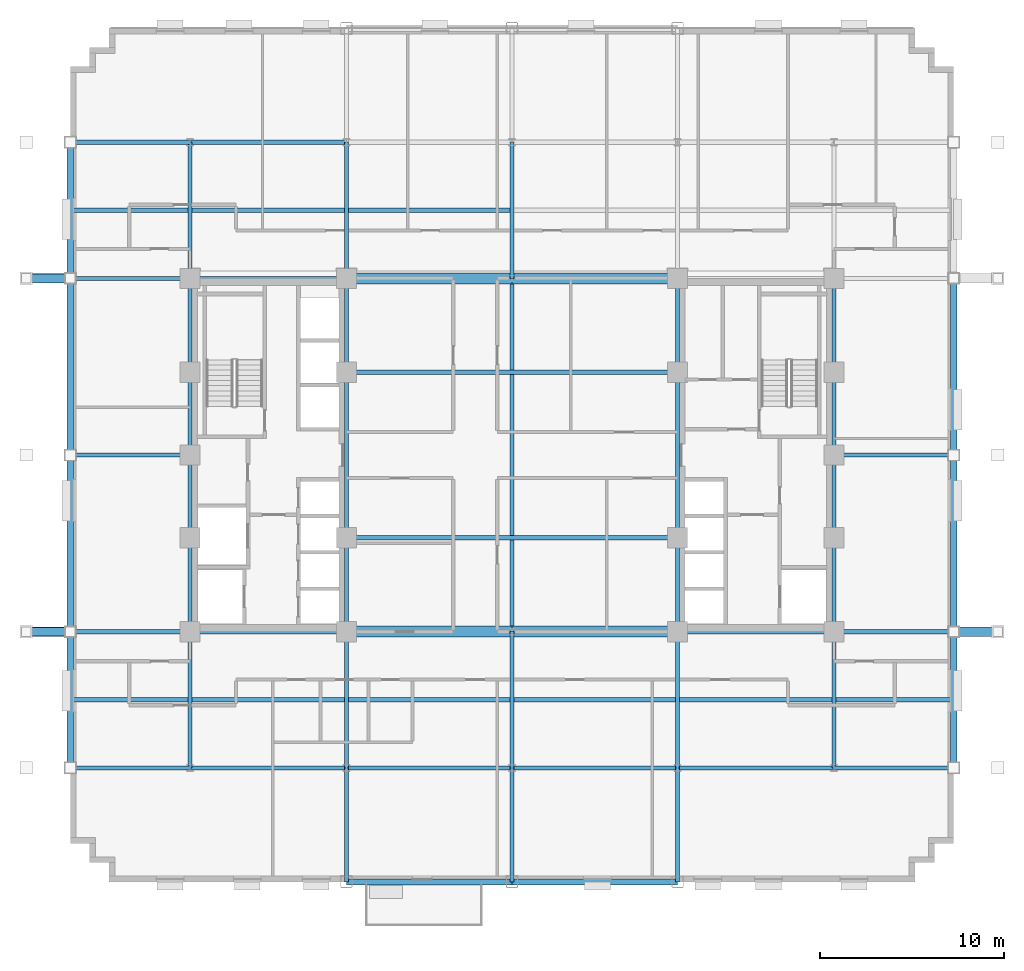
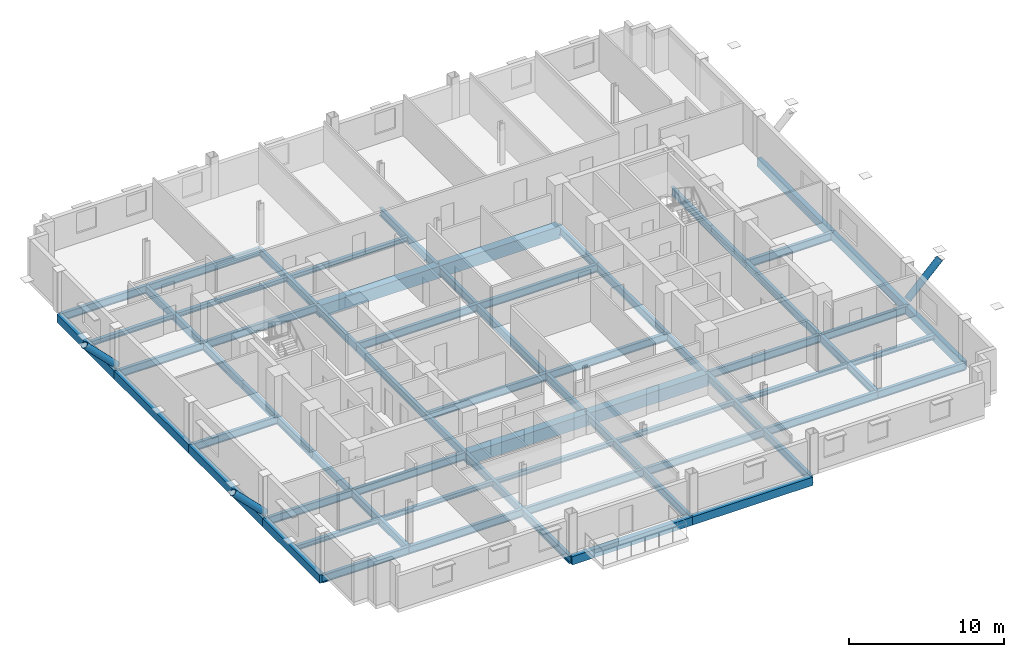
# One storey, part 4 of 14: 66 beams, 3 members.
"""IFC4 building model written with IfcOpenShell, lengths in metres."""

from ifc_helpers import new_model, si_unit, direction, frame, origin, origin_2d, place, context, subcontext, project, spatial, rectangle, hollow_circle, i_section, extrude, material, material_profile, profile_set, type_object, element, save


model = new_model("IFC4")

# Units and contexts
model_context = context("Model", 3, precision=1e-05, world=origin(), true_north=direction((0.0, 1.0)))
body_context = subcontext(model_context, "Body", "Model", "MODEL_VIEW")
ifc_project = project(units=[si_unit("LENGTHUNIT", "METRE"), si_unit("AREAUNIT", "SQUARE_METRE"), si_unit("VOLUMEUNIT", "CUBIC_METRE"), si_unit("PLANEANGLEUNIT", "RADIAN"), si_unit("MASSUNIT", "GRAM", prefix="KILO")], contexts=[model_context])

# Site, building, storey
site_placement = place(None, origin())
site = spatial("IfcSite", under=ifc_project, at=site_placement, CompositionType="ELEMENT")
building_placement = place(site_placement, origin())
building = spatial("IfcBuilding", under=site, at=building_placement, Name="Nuvemarco Arch Tower", CompositionType="ELEMENT")
storey_placement = place(building_placement, frame((0.0, 0.0, 112.89990234375)))
storey = spatial("IfcBuildingStorey", under=building, at=storey_placement, Name="L29", CompositionType="ELEMENT", Elevation=112.89990234375)

# Beams
ifc_material_1 = material(Name="Concrete C60/75", Category="concrete")
ifc_material_profile_1 = material_profile(ifc_material_1, rectangle(XDim=0.60009765625, YDim=0.949951171875, at=origin_2d()), Name="RC-BM-600x950")
ifc_profile_set_1 = profile_set([ifc_material_profile_1], Name="Concrete C60/75")
beam_type_1 = type_object("IfcBeamType", Name="BM-COUP-RC", PredefinedType="LINTEL", material=ifc_profile_set_1)
for number, where, z_axis, x_axis, name in (
    (1, (-9.0, -9.60009765625, -0.7548828125), (1.0, 0.0, 0.0), (0.0, 1.0, 0.0), "L29 structural beam BGEW_L29_0_-9.6_-9.0"),
    (2, (0.0, -9.60009765625, -0.7548828125), (1.0, 0.0, 0.0), (0.0, 1.0, 0.0), "L29 structural beam BGEW_L29_0_-9.6_+0.0"),
    (3, (-9.0, 9.60009765625, -0.7548828125), (1.0, 0.0, 0.0), (0.0, 1.0, 0.0), "L29 structural beam BGEW_L29_0_+9.6_-9.0"),
    (4, (0.0, 9.60009765625, -0.7548828125), (1.0, 0.0, 0.0), (0.0, 1.0, 0.0), "L29 structural beam BGEW_L29_0_+9.6_+0.0"),
):
    element("IfcBeam", number, at=place(storey_placement, frame(where, z_axis=z_axis, x_axis=x_axis)), inside=storey, type_object=beam_type_1, Name=name, PredefinedType="LINTEL", context=body_context, shape_type="SweptSolid", body=[
        extrude(rectangle(XDim=0.60009765625, YDim=0.949951171875, at=origin_2d()), origin(), (0.0, 0.0, 1.0), 9.0),
    ])
ifc_material_2 = material(Name="Steel S355", Category="steel")
ifc_material_profile_2 = material_profile(ifc_material_2, i_section(OverallWidth=0.22998046875, OverallDepth=0.616943359375, WebThickness=0.01318359375, FlangeThickness=0.022216796875, FilletRadius=0.01611328125, at=origin_2d()), Name="W610x140")
ifc_profile_set_2 = profile_set([ifc_material_profile_2], Name="Steel S355")
beam_type_2 = type_object("IfcBeamType", Name="BM-GIRD-610", PredefinedType="BEAM", material=ifc_profile_set_2)
beam_1_placement = place(storey_placement, frame((-17.5, -17.0, -0.58837890625), z_axis=(0.0, 1.0, 0.0), x_axis=(-1.0, 0.0, 0.0)))
element("IfcBeam", 5, at=beam_1_placement, inside=storey, type_object=beam_type_2, Name="L29 structural beam BGNS_L29_0_-17.5_-17.0", PredefinedType="BEAM", context=body_context, shape_type="SweptSolid", body=[
    extrude(i_section(OverallWidth=0.22998046875, OverallDepth=0.616943359375, WebThickness=0.01318359375, FlangeThickness=0.022216796875, FilletRadius=0.01611328125, at=origin_2d()), origin(), (0.0, 0.0, 1.0), 7.39990234375),
])
beam_2_placement = place(storey_placement, frame((-17.5, -9.60009765625, -0.58837890625), z_axis=(0.0, 1.0, 0.0), x_axis=(-1.0, 0.0, 0.0)))
element("IfcBeam", 6, at=beam_2_placement, inside=storey, type_object=beam_type_2, Name="L29 structural beam BGNS_L29_0_-17.5_-9.6", PredefinedType="BEAM", context=body_context, shape_type="SweptSolid", body=[
    extrude(i_section(OverallWidth=0.22998046875, OverallDepth=0.616943359375, WebThickness=0.01318359375, FlangeThickness=0.022216796875, FilletRadius=0.01611328125, at=origin_2d()), origin(), (0.0, 0.0, 1.0), 5.10009765625),
])
for number, where, z_axis, x_axis, name in (
    (7, (-17.5, -4.5, -0.58837890625), (0.0, 1.0, 0.0), (-1.0, 0.0, 0.0), "L29 structural beam BGNS_L29_0_-17.5_-4.5"),
    (8, (-17.5, 0.0, -0.58837890625), (0.0, 1.0, 0.0), (-1.0, 0.0, 0.0), "L29 structural beam BGNS_L29_0_-17.5_+0.0"),
):
    element("IfcBeam", number, at=place(storey_placement, frame(where, z_axis=z_axis, x_axis=x_axis)), inside=storey, type_object=beam_type_2, Name=name, PredefinedType="BEAM", context=body_context, shape_type="SweptSolid", body=[
        extrude(i_section(OverallWidth=0.22998046875, OverallDepth=0.616943359375, WebThickness=0.01318359375, FlangeThickness=0.022216796875, FilletRadius=0.01611328125, at=origin_2d()), origin(), (0.0, 0.0, 1.0), 4.5),
    ])
beam_3_placement = place(storey_placement, frame((-17.5, 4.5, -0.58837890625), z_axis=(0.0, 1.0, 0.0), x_axis=(-1.0, 0.0, 0.0)))
element("IfcBeam", 9, at=beam_3_placement, inside=storey, type_object=beam_type_2, Name="L29 structural beam BGNS_L29_0_-17.5_+4.5", PredefinedType="BEAM", context=body_context, shape_type="SweptSolid", body=[
    extrude(i_section(OverallWidth=0.22998046875, OverallDepth=0.616943359375, WebThickness=0.01318359375, FlangeThickness=0.022216796875, FilletRadius=0.01611328125, at=origin_2d()), origin(), (0.0, 0.0, 1.0), 5.10009765625),
])
beam_4_placement = place(storey_placement, frame((-17.5, 9.60009765625, -0.58837890625), z_axis=(0.0, 1.0, 0.0), x_axis=(-1.0, 0.0, 0.0)))
element("IfcBeam", 10, at=beam_4_placement, inside=storey, type_object=beam_type_2, Name="L29 structural beam BGNS_L29_0_-17.5_+9.6", PredefinedType="BEAM", context=body_context, shape_type="SweptSolid", body=[
    extrude(i_section(OverallWidth=0.22998046875, OverallDepth=0.616943359375, WebThickness=0.01318359375, FlangeThickness=0.022216796875, FilletRadius=0.01611328125, at=origin_2d()), origin(), (0.0, 0.0, 1.0), 7.39990234375),
])
beam_5_placement = place(storey_placement, frame((-9.0, -23.199951171875, -0.58837890625), z_axis=(0.0, 1.0, 0.0), x_axis=(-1.0, 0.0, 0.0)))
element("IfcBeam", 11, at=beam_5_placement, inside=storey, type_object=beam_type_2, Name="L29 structural beam BGNS_L29_0_-9.0_-23.2", PredefinedType="BEAM", context=body_context, shape_type="SweptSolid", body=[
    extrude(i_section(OverallWidth=0.22998046875, OverallDepth=0.616943359375, WebThickness=0.01318359375, FlangeThickness=0.022216796875, FilletRadius=0.01611328125, at=origin_2d()), origin(), (0.0, 0.0, 1.0), 6.199951171875),
])
beam_6_placement = place(storey_placement, frame((-9.0, -17.0, -0.58837890625), z_axis=(0.0, 1.0, 0.0), x_axis=(-1.0, 0.0, 0.0)))
element("IfcBeam", 12, at=beam_6_placement, inside=storey, type_object=beam_type_2, Name="L29 structural beam BGNS_L29_0_-9.0_-17.0", PredefinedType="BEAM", context=body_context, shape_type="SweptSolid", body=[
    extrude(i_section(OverallWidth=0.22998046875, OverallDepth=0.616943359375, WebThickness=0.01318359375, FlangeThickness=0.022216796875, FilletRadius=0.01611328125, at=origin_2d()), origin(), (0.0, 0.0, 1.0), 7.39990234375),
])
beam_7_placement = place(storey_placement, frame((-9.0, -9.60009765625, -0.58837890625), z_axis=(0.0, 1.0, 0.0), x_axis=(-1.0, 0.0, 0.0)))
element("IfcBeam", 13, at=beam_7_placement, inside=storey, type_object=beam_type_2, Name="L29 structural beam BGNS_L29_0_-9.0_-9.6", PredefinedType="BEAM", context=body_context, shape_type="SweptSolid", body=[
    extrude(i_section(OverallWidth=0.22998046875, OverallDepth=0.616943359375, WebThickness=0.01318359375, FlangeThickness=0.022216796875, FilletRadius=0.01611328125, at=origin_2d()), origin(), (0.0, 0.0, 1.0), 5.10009765625),
])
beam_8_placement = place(storey_placement, frame((-9.0, -4.5, -0.58837890625), z_axis=(0.0, 1.0, 0.0), x_axis=(-1.0, 0.0, 0.0)))
element("IfcBeam", 14, at=beam_8_placement, inside=storey, type_object=beam_type_2, Name="L29 structural beam BGNS_L29_0_-9.0_-4.5", PredefinedType="BEAM", context=body_context, shape_type="SweptSolid", body=[
    extrude(i_section(OverallWidth=0.22998046875, OverallDepth=0.616943359375, WebThickness=0.01318359375, FlangeThickness=0.022216796875, FilletRadius=0.01611328125, at=origin_2d()), origin(), (0.0, 0.0, 1.0), 9.0),
])
beam_9_placement = place(storey_placement, frame((-9.0, 4.5, -0.58837890625), z_axis=(0.0, 1.0, 0.0), x_axis=(-1.0, 0.0, 0.0)))
element("IfcBeam", 15, at=beam_9_placement, inside=storey, type_object=beam_type_2, Name="L29 structural beam BGNS_L29_0_-9.0_+4.5", PredefinedType="BEAM", context=body_context, shape_type="SweptSolid", body=[
    extrude(i_section(OverallWidth=0.22998046875, OverallDepth=0.616943359375, WebThickness=0.01318359375, FlangeThickness=0.022216796875, FilletRadius=0.01611328125, at=origin_2d()), origin(), (0.0, 0.0, 1.0), 5.10009765625),
])
beam_10_placement = place(storey_placement, frame((-9.0, 9.60009765625, -0.58837890625), z_axis=(0.0, 1.0, 0.0), x_axis=(-1.0, 0.0, 0.0)))
element("IfcBeam", 16, at=beam_10_placement, inside=storey, type_object=beam_type_2, Name="L29 structural beam BGNS_L29_0_-9.0_+9.6", PredefinedType="BEAM", context=body_context, shape_type="SweptSolid", body=[
    extrude(i_section(OverallWidth=0.22998046875, OverallDepth=0.616943359375, WebThickness=0.01318359375, FlangeThickness=0.022216796875, FilletRadius=0.01611328125, at=origin_2d()), origin(), (0.0, 0.0, 1.0), 7.39990234375),
])
beam_11_placement = place(storey_placement, frame((0.0, -23.199951171875, -0.58837890625), z_axis=(0.0, 1.0, 0.0), x_axis=(-1.0, 0.0, 0.0)))
element("IfcBeam", 17, at=beam_11_placement, inside=storey, type_object=beam_type_2, Name="L29 structural beam BGNS_L29_0_+0.0_-23.2", PredefinedType="BEAM", context=body_context, shape_type="SweptSolid", body=[
    extrude(i_section(OverallWidth=0.22998046875, OverallDepth=0.616943359375, WebThickness=0.01318359375, FlangeThickness=0.022216796875, FilletRadius=0.01611328125, at=origin_2d()), origin(), (0.0, 0.0, 1.0), 6.199951171875),
])
beam_12_placement = place(storey_placement, frame((0.0, -17.0, -0.58837890625), z_axis=(0.0, 1.0, 0.0), x_axis=(-1.0, 0.0, 0.0)))
element("IfcBeam", 18, at=beam_12_placement, inside=storey, type_object=beam_type_2, Name="L29 structural beam BGNS_L29_0_+0.0_-17.0", PredefinedType="BEAM", context=body_context, shape_type="SweptSolid", body=[
    extrude(i_section(OverallWidth=0.22998046875, OverallDepth=0.616943359375, WebThickness=0.01318359375, FlangeThickness=0.022216796875, FilletRadius=0.01611328125, at=origin_2d()), origin(), (0.0, 0.0, 1.0), 7.39990234375),
])
beam_13_placement = place(storey_placement, frame((0.0, -9.60009765625, -0.58837890625), z_axis=(0.0, 1.0, 0.0), x_axis=(-1.0, 0.0, 0.0)))
element("IfcBeam", 19, at=beam_13_placement, inside=storey, type_object=beam_type_2, Name="L29 structural beam BGNS_L29_0_+0.0_-9.6", PredefinedType="BEAM", context=body_context, shape_type="SweptSolid", body=[
    extrude(i_section(OverallWidth=0.22998046875, OverallDepth=0.616943359375, WebThickness=0.01318359375, FlangeThickness=0.022216796875, FilletRadius=0.01611328125, at=origin_2d()), origin(), (0.0, 0.0, 1.0), 19.2001953125),
])
beam_14_placement = place(storey_placement, frame((0.0, 9.60009765625, -0.58837890625), z_axis=(0.0, 1.0, 0.0), x_axis=(-1.0, 0.0, 0.0)))
element("IfcBeam", 20, at=beam_14_placement, inside=storey, type_object=beam_type_2, Name="L29 structural beam BGNS_L29_0_+0.0_+9.6", PredefinedType="BEAM", context=body_context, shape_type="SweptSolid", body=[
    extrude(i_section(OverallWidth=0.22998046875, OverallDepth=0.616943359375, WebThickness=0.01318359375, FlangeThickness=0.022216796875, FilletRadius=0.01611328125, at=origin_2d()), origin(), (0.0, 0.0, 1.0), 7.39990234375),
])
beam_15_placement = place(storey_placement, frame((9.0, -23.199951171875, -0.58837890625), z_axis=(0.0, 1.0, 0.0), x_axis=(-1.0, 0.0, 0.0)))
element("IfcBeam", 21, at=beam_15_placement, inside=storey, type_object=beam_type_2, Name="L29 structural beam BGNS_L29_0_+9.0_-23.2", PredefinedType="BEAM", context=body_context, shape_type="SweptSolid", body=[
    extrude(i_section(OverallWidth=0.22998046875, OverallDepth=0.616943359375, WebThickness=0.01318359375, FlangeThickness=0.022216796875, FilletRadius=0.01611328125, at=origin_2d()), origin(), (0.0, 0.0, 1.0), 6.199951171875),
])
beam_16_placement = place(storey_placement, frame((9.0, -17.0, -0.58837890625), z_axis=(0.0, 1.0, 0.0), x_axis=(-1.0, 0.0, 0.0)))
element("IfcBeam", 22, at=beam_16_placement, inside=storey, type_object=beam_type_2, Name="L29 structural beam BGNS_L29_0_+9.0_-17.0", PredefinedType="BEAM", context=body_context, shape_type="SweptSolid", body=[
    extrude(i_section(OverallWidth=0.22998046875, OverallDepth=0.616943359375, WebThickness=0.01318359375, FlangeThickness=0.022216796875, FilletRadius=0.01611328125, at=origin_2d()), origin(), (0.0, 0.0, 1.0), 7.39990234375),
])
beam_17_placement = place(storey_placement, frame((9.0, -9.60009765625, -0.58837890625), z_axis=(0.0, 1.0, 0.0), x_axis=(-1.0, 0.0, 0.0)))
element("IfcBeam", 23, at=beam_17_placement, inside=storey, type_object=beam_type_2, Name="L29 structural beam BGNS_L29_0_+9.0_-9.6", PredefinedType="BEAM", context=body_context, shape_type="SweptSolid", body=[
    extrude(i_section(OverallWidth=0.22998046875, OverallDepth=0.616943359375, WebThickness=0.01318359375, FlangeThickness=0.022216796875, FilletRadius=0.01611328125, at=origin_2d()), origin(), (0.0, 0.0, 1.0), 5.10009765625),
])
beam_18_placement = place(storey_placement, frame((9.0, -4.5, -0.58837890625), z_axis=(0.0, 1.0, 0.0), x_axis=(-1.0, 0.0, 0.0)))
element("IfcBeam", 24, at=beam_18_placement, inside=storey, type_object=beam_type_2, Name="L29 structural beam BGNS_L29_0_+9.0_-4.5", PredefinedType="BEAM", context=body_context, shape_type="SweptSolid", body=[
    extrude(i_section(OverallWidth=0.22998046875, OverallDepth=0.616943359375, WebThickness=0.01318359375, FlangeThickness=0.022216796875, FilletRadius=0.01611328125, at=origin_2d()), origin(), (0.0, 0.0, 1.0), 9.0),
])
beam_19_placement = place(storey_placement, frame((9.0, 4.5, -0.58837890625), z_axis=(0.0, 1.0, 0.0), x_axis=(-1.0, 0.0, 0.0)))
element("IfcBeam", 25, at=beam_19_placement, inside=storey, type_object=beam_type_2, Name="L29 structural beam BGNS_L29_0_+9.0_+4.5", PredefinedType="BEAM", context=body_context, shape_type="SweptSolid", body=[
    extrude(i_section(OverallWidth=0.22998046875, OverallDepth=0.616943359375, WebThickness=0.01318359375, FlangeThickness=0.022216796875, FilletRadius=0.01611328125, at=origin_2d()), origin(), (0.0, 0.0, 1.0), 5.10009765625),
])
beam_20_placement = place(storey_placement, frame((17.5, -17.0, -0.58837890625), z_axis=(0.0, 1.0, 0.0), x_axis=(-1.0, 0.0, 0.0)))
element("IfcBeam", 26, at=beam_20_placement, inside=storey, type_object=beam_type_2, Name="L29 structural beam BGNS_L29_0_+17.5_-17.0", PredefinedType="BEAM", context=body_context, shape_type="SweptSolid", body=[
    extrude(i_section(OverallWidth=0.22998046875, OverallDepth=0.616943359375, WebThickness=0.01318359375, FlangeThickness=0.022216796875, FilletRadius=0.01611328125, at=origin_2d()), origin(), (0.0, 0.0, 1.0), 7.39990234375),
])
beam_21_placement = place(storey_placement, frame((17.5, -9.60009765625, -0.58837890625), z_axis=(0.0, 1.0, 0.0), x_axis=(-1.0, 0.0, 0.0)))
element("IfcBeam", 27, at=beam_21_placement, inside=storey, type_object=beam_type_2, Name="L29 structural beam BGNS_L29_0_+17.5_-9.6", PredefinedType="BEAM", context=body_context, shape_type="SweptSolid", body=[
    extrude(i_section(OverallWidth=0.22998046875, OverallDepth=0.616943359375, WebThickness=0.01318359375, FlangeThickness=0.022216796875, FilletRadius=0.01611328125, at=origin_2d()), origin(), (0.0, 0.0, 1.0), 5.10009765625),
])
for number, where, z_axis, x_axis, name in (
    (28, (17.5, -4.5, -0.58837890625), (0.0, 1.0, 0.0), (-1.0, 0.0, 0.0), "L29 structural beam BGNS_L29_0_+17.5_-4.5"),
    (29, (17.5, 0.0, -0.58837890625), (0.0, 1.0, 0.0), (-1.0, 0.0, 0.0), "L29 structural beam BGNS_L29_0_+17.5_+0.0"),
):
    element("IfcBeam", number, at=place(storey_placement, frame(where, z_axis=z_axis, x_axis=x_axis)), inside=storey, type_object=beam_type_2, Name=name, PredefinedType="BEAM", context=body_context, shape_type="SweptSolid", body=[
        extrude(i_section(OverallWidth=0.22998046875, OverallDepth=0.616943359375, WebThickness=0.01318359375, FlangeThickness=0.022216796875, FilletRadius=0.01611328125, at=origin_2d()), origin(), (0.0, 0.0, 1.0), 4.5),
    ])
beam_22_placement = place(storey_placement, frame((17.5, 4.5, -0.58837890625), z_axis=(0.0, 1.0, 0.0), x_axis=(-1.0, 0.0, 0.0)))
element("IfcBeam", 30, at=beam_22_placement, inside=storey, type_object=beam_type_2, Name="L29 structural beam BGNS_L29_0_+17.5_+4.5", PredefinedType="BEAM", context=body_context, shape_type="SweptSolid", body=[
    extrude(i_section(OverallWidth=0.22998046875, OverallDepth=0.616943359375, WebThickness=0.01318359375, FlangeThickness=0.022216796875, FilletRadius=0.01611328125, at=origin_2d()), origin(), (0.0, 0.0, 1.0), 5.10009765625),
])
beam_23_placement = place(storey_placement, frame((-24.0, -17.0, -0.58837890625), z_axis=(1.0, 0.0, 0.0), x_axis=(0.0, 1.0, 0.0)))
element("IfcBeam", 31, at=beam_23_placement, inside=storey, type_object=beam_type_2, Name="L29 structural beam BGEW_L29_0_-17.0_-24.0", PredefinedType="BEAM", context=body_context, shape_type="SweptSolid", body=[
    extrude(i_section(OverallWidth=0.22998046875, OverallDepth=0.616943359375, WebThickness=0.01318359375, FlangeThickness=0.022216796875, FilletRadius=0.01611328125, at=origin_2d()), origin(), (0.0, 0.0, 1.0), 6.5),
])
beam_24_placement = place(storey_placement, frame((-17.5, -17.0, -0.58837890625), z_axis=(1.0, 0.0, 0.0), x_axis=(0.0, 1.0, 0.0)))
element("IfcBeam", 32, at=beam_24_placement, inside=storey, type_object=beam_type_2, Name="L29 structural beam BGEW_L29_0_-17.0_-17.5", PredefinedType="BEAM", context=body_context, shape_type="SweptSolid", body=[
    extrude(i_section(OverallWidth=0.22998046875, OverallDepth=0.616943359375, WebThickness=0.01318359375, FlangeThickness=0.022216796875, FilletRadius=0.01611328125, at=origin_2d()), origin(), (0.0, 0.0, 1.0), 8.5),
])
for number, where, z_axis, x_axis, name in (
    (33, (-9.0, -17.0, -0.58837890625), (1.0, 0.0, 0.0), (0.0, 1.0, 0.0), "L29 structural beam BGEW_L29_0_-17.0_-9.0"),
    (34, (0.0, -17.0, -0.58837890625), (1.0, 0.0, 0.0), (0.0, 1.0, 0.0), "L29 structural beam BGEW_L29_0_-17.0_+0.0"),
):
    element("IfcBeam", number, at=place(storey_placement, frame(where, z_axis=z_axis, x_axis=x_axis)), inside=storey, type_object=beam_type_2, Name=name, PredefinedType="BEAM", context=body_context, shape_type="SweptSolid", body=[
        extrude(i_section(OverallWidth=0.22998046875, OverallDepth=0.616943359375, WebThickness=0.01318359375, FlangeThickness=0.022216796875, FilletRadius=0.01611328125, at=origin_2d()), origin(), (0.0, 0.0, 1.0), 9.0),
    ])
beam_25_placement = place(storey_placement, frame((9.0, -17.0, -0.58837890625), z_axis=(1.0, 0.0, 0.0), x_axis=(0.0, 1.0, 0.0)))
element("IfcBeam", 35, at=beam_25_placement, inside=storey, type_object=beam_type_2, Name="L29 structural beam BGEW_L29_0_-17.0_+9.0", PredefinedType="BEAM", context=body_context, shape_type="SweptSolid", body=[
    extrude(i_section(OverallWidth=0.22998046875, OverallDepth=0.616943359375, WebThickness=0.01318359375, FlangeThickness=0.022216796875, FilletRadius=0.01611328125, at=origin_2d()), origin(), (0.0, 0.0, 1.0), 8.5),
])
for number, where, z_axis, x_axis, name in (
    (36, (17.5, -17.0, -0.58837890625), (1.0, 0.0, 0.0), (0.0, 1.0, 0.0), "L29 structural beam BGEW_L29_0_-17.0_+17.5"),
    (37, (-24.0, -9.60009765625, -0.58837890625), (1.0, 0.0, 0.0), (0.0, 1.0, 0.0), "L29 structural beam BGEW_L29_0_-9.6_-24.0"),
):
    element("IfcBeam", number, at=place(storey_placement, frame(where, z_axis=z_axis, x_axis=x_axis)), inside=storey, type_object=beam_type_2, Name=name, PredefinedType="BEAM", context=body_context, shape_type="SweptSolid", body=[
        extrude(i_section(OverallWidth=0.22998046875, OverallDepth=0.616943359375, WebThickness=0.01318359375, FlangeThickness=0.022216796875, FilletRadius=0.01611328125, at=origin_2d()), origin(), (0.0, 0.0, 1.0), 6.5),
    ])
for number, where, z_axis, x_axis, name in (
    (38, (-17.5, -9.60009765625, -0.58837890625), (1.0, 0.0, 0.0), (0.0, 1.0, 0.0), "L29 structural beam BGEW_L29_0_-9.6_-17.5"),
    (39, (9.0, -9.60009765625, -0.58837890625), (1.0, 0.0, 0.0), (0.0, 1.0, 0.0), "L29 structural beam BGEW_L29_0_-9.6_+9.0"),
):
    element("IfcBeam", number, at=place(storey_placement, frame(where, z_axis=z_axis, x_axis=x_axis)), inside=storey, type_object=beam_type_2, Name=name, PredefinedType="BEAM", context=body_context, shape_type="SweptSolid", body=[
        extrude(i_section(OverallWidth=0.22998046875, OverallDepth=0.616943359375, WebThickness=0.01318359375, FlangeThickness=0.022216796875, FilletRadius=0.01611328125, at=origin_2d()), origin(), (0.0, 0.0, 1.0), 8.5),
    ])
beam_26_placement = place(storey_placement, frame((17.5, -9.60009765625, -0.58837890625), z_axis=(1.0, 0.0, 0.0), x_axis=(0.0, 1.0, 0.0)))
element("IfcBeam", 40, at=beam_26_placement, inside=storey, type_object=beam_type_2, Name="L29 structural beam BGEW_L29_0_-9.6_+17.5", PredefinedType="BEAM", context=body_context, shape_type="SweptSolid", body=[
    extrude(i_section(OverallWidth=0.22998046875, OverallDepth=0.616943359375, WebThickness=0.01318359375, FlangeThickness=0.022216796875, FilletRadius=0.01611328125, at=origin_2d()), origin(), (0.0, 0.0, 1.0), 6.5),
])
beam_27_placement = place(storey_placement, frame((-9.0, -4.5, -0.58837890625), z_axis=(1.0, 0.0, 0.0), x_axis=(0.0, 1.0, 0.0)))
element("IfcBeam", 41, at=beam_27_placement, inside=storey, type_object=beam_type_2, Name="L29 structural beam BGEW_L29_0_-4.5_-9.0", PredefinedType="BEAM", context=body_context, shape_type="SweptSolid", body=[
    extrude(i_section(OverallWidth=0.22998046875, OverallDepth=0.616943359375, WebThickness=0.01318359375, FlangeThickness=0.022216796875, FilletRadius=0.01611328125, at=origin_2d()), origin(), (0.0, 0.0, 1.0), 18.0),
])
for number, where, z_axis, x_axis, name in (
    (42, (-24.0, 0.0, -0.58837890625), (1.0, 0.0, 0.0), (0.0, 1.0, 0.0), "L29 structural beam BGEW_L29_0_+0.0_-24.0"),
    (43, (17.5, 0.0, -0.58837890625), (1.0, 0.0, 0.0), (0.0, 1.0, 0.0), "L29 structural beam BGEW_L29_0_+0.0_+17.5"),
):
    element("IfcBeam", number, at=place(storey_placement, frame(where, z_axis=z_axis, x_axis=x_axis)), inside=storey, type_object=beam_type_2, Name=name, PredefinedType="BEAM", context=body_context, shape_type="SweptSolid", body=[
        extrude(i_section(OverallWidth=0.22998046875, OverallDepth=0.616943359375, WebThickness=0.01318359375, FlangeThickness=0.022216796875, FilletRadius=0.01611328125, at=origin_2d()), origin(), (0.0, 0.0, 1.0), 6.5),
    ])
beam_28_placement = place(storey_placement, frame((-9.0, 4.5, -0.58837890625), z_axis=(1.0, 0.0, 0.0), x_axis=(0.0, 1.0, 0.0)))
element("IfcBeam", 44, at=beam_28_placement, inside=storey, type_object=beam_type_2, Name="L29 structural beam BGEW_L29_0_+4.5_-9.0", PredefinedType="BEAM", context=body_context, shape_type="SweptSolid", body=[
    extrude(i_section(OverallWidth=0.22998046875, OverallDepth=0.616943359375, WebThickness=0.01318359375, FlangeThickness=0.022216796875, FilletRadius=0.01611328125, at=origin_2d()), origin(), (0.0, 0.0, 1.0), 18.0),
])
beam_29_placement = place(storey_placement, frame((-24.0, 9.60009765625, -0.58837890625), z_axis=(1.0, 0.0, 0.0), x_axis=(0.0, 1.0, 0.0)))
element("IfcBeam", 45, at=beam_29_placement, inside=storey, type_object=beam_type_2, Name="L29 structural beam BGEW_L29_0_+9.6_-24.0", PredefinedType="BEAM", context=body_context, shape_type="SweptSolid", body=[
    extrude(i_section(OverallWidth=0.22998046875, OverallDepth=0.616943359375, WebThickness=0.01318359375, FlangeThickness=0.022216796875, FilletRadius=0.01611328125, at=origin_2d()), origin(), (0.0, 0.0, 1.0), 6.5),
])
beam_30_placement = place(storey_placement, frame((-17.5, 9.60009765625, -0.58837890625), z_axis=(1.0, 0.0, 0.0), x_axis=(0.0, 1.0, 0.0)))
element("IfcBeam", 46, at=beam_30_placement, inside=storey, type_object=beam_type_2, Name="L29 structural beam BGEW_L29_0_+9.6_-17.5", PredefinedType="BEAM", context=body_context, shape_type="SweptSolid", body=[
    extrude(i_section(OverallWidth=0.22998046875, OverallDepth=0.616943359375, WebThickness=0.01318359375, FlangeThickness=0.022216796875, FilletRadius=0.01611328125, at=origin_2d()), origin(), (0.0, 0.0, 1.0), 8.5),
])
beam_31_placement = place(storey_placement, frame((-24.0, 17.0, -0.58837890625), z_axis=(1.0, 0.0, 0.0), x_axis=(0.0, 1.0, 0.0)))
element("IfcBeam", 47, at=beam_31_placement, inside=storey, type_object=beam_type_2, Name="L29 structural beam BGEW_L29_0_+17.0_-24.0", PredefinedType="BEAM", context=body_context, shape_type="SweptSolid", body=[
    extrude(i_section(OverallWidth=0.22998046875, OverallDepth=0.616943359375, WebThickness=0.01318359375, FlangeThickness=0.022216796875, FilletRadius=0.01611328125, at=origin_2d()), origin(), (0.0, 0.0, 1.0), 6.5),
])
beam_32_placement = place(storey_placement, frame((-17.5, 17.0, -0.58837890625), z_axis=(1.0, 0.0, 0.0), x_axis=(0.0, 1.0, 0.0)))
element("IfcBeam", 48, at=beam_32_placement, inside=storey, type_object=beam_type_2, Name="L29 structural beam BGEW_L29_0_+17.0_-17.5", PredefinedType="BEAM", context=body_context, shape_type="SweptSolid", body=[
    extrude(i_section(OverallWidth=0.22998046875, OverallDepth=0.616943359375, WebThickness=0.01318359375, FlangeThickness=0.022216796875, FilletRadius=0.01611328125, at=origin_2d()), origin(), (0.0, 0.0, 1.0), 8.5),
])
ifc_material_profile_3 = material_profile(ifc_material_2, i_section(OverallWidth=0.2548828125, OverallDepth=0.35693359375, WebThickness=0.010498046875, FlangeThickness=0.018310546875, FilletRadius=0.014892578125, at=origin_2d()), Name="W360x101")
ifc_profile_set_3 = profile_set([ifc_material_profile_3], Name="Steel S355")
beam_type_3 = type_object("IfcBeamType", Name="BM-JOIST-360H", PredefinedType="JOIST", material=ifc_profile_set_3)
beam_33_placement = place(storey_placement, frame((-23.824951171875, -13.300048828125, -0.45849609375), z_axis=(1.0, 0.0, 0.0), x_axis=(0.0, 1.0, 0.0)))
element("IfcBeam", 49, at=beam_33_placement, inside=storey, type_object=beam_type_3, Name="L29 structural beam BJ_L29_0_-13.3_-24.0", PredefinedType="JOIST", context=body_context, shape_type="SweptSolid", body=[
    extrude(i_section(OverallWidth=0.2548828125, OverallDepth=0.35693359375, WebThickness=0.010498046875, FlangeThickness=0.018310546875, FilletRadius=0.014892578125, at=origin_2d()), origin(), (0.0, 0.0, 1.0), 6.2099609375),
])
beam_34_placement = place(storey_placement, frame((-17.385009765625, -13.300048828125, -0.45849609375), z_axis=(1.0, 0.0, 0.0), x_axis=(0.0, 1.0, 0.0)))
element("IfcBeam", 50, at=beam_34_placement, inside=storey, type_object=beam_type_3, Name="L29 structural beam BJ_L29_0_-13.3_-17.5", PredefinedType="JOIST", context=body_context, shape_type="SweptSolid", body=[
    extrude(i_section(OverallWidth=0.2548828125, OverallDepth=0.35693359375, WebThickness=0.010498046875, FlangeThickness=0.018310546875, FilletRadius=0.014892578125, at=origin_2d()), origin(), (0.0, 0.0, 1.0), 8.27001953125),
])
for number, where, z_axis, x_axis, name in (
    (51, (-8.885009765625, -13.300048828125, -0.45849609375), (1.0, 0.0, 0.0), (0.0, 1.0, 0.0), "L29 structural beam BJ_L29_0_-13.3_-9.0"),
    (52, (0.114990234375, -13.300048828125, -0.45849609375), (1.0, 0.0, 0.0), (0.0, 1.0, 0.0), "L29 structural beam BJ_L29_0_-13.3_+0.0"),
):
    element("IfcBeam", number, at=place(storey_placement, frame(where, z_axis=z_axis, x_axis=x_axis)), inside=storey, type_object=beam_type_3, Name=name, PredefinedType="JOIST", context=body_context, shape_type="SweptSolid", body=[
        extrude(i_section(OverallWidth=0.2548828125, OverallDepth=0.35693359375, WebThickness=0.010498046875, FlangeThickness=0.018310546875, FilletRadius=0.014892578125, at=origin_2d()), origin(), (0.0, 0.0, 1.0), 8.77001953125),
    ])
beam_35_placement = place(storey_placement, frame((9.114990234375, -13.300048828125, -0.45849609375), z_axis=(1.0, 0.0, 0.0), x_axis=(0.0, 1.0, 0.0)))
element("IfcBeam", 53, at=beam_35_placement, inside=storey, type_object=beam_type_3, Name="L29 structural beam BJ_L29_0_-13.3_+9.0", PredefinedType="JOIST", context=body_context, shape_type="SweptSolid", body=[
    extrude(i_section(OverallWidth=0.2548828125, OverallDepth=0.35693359375, WebThickness=0.010498046875, FlangeThickness=0.018310546875, FilletRadius=0.014892578125, at=origin_2d()), origin(), (0.0, 0.0, 1.0), 8.27001953125),
])
for number, where, z_axis, x_axis, name in (
    (54, (17.614990234375, -13.300048828125, -0.45849609375), (1.0, 0.0, 0.0), (0.0, 1.0, 0.0), "L29 structural beam BJ_L29_0_-13.3_+17.5"),
    (55, (-23.824951171875, 13.300048828125, -0.45849609375), (1.0, 0.0, 0.0), (0.0, 1.0, 0.0), "L29 structural beam BJ_L29_0_+13.3_-24.0"),
):
    element("IfcBeam", number, at=place(storey_placement, frame(where, z_axis=z_axis, x_axis=x_axis)), inside=storey, type_object=beam_type_3, Name=name, PredefinedType="JOIST", context=body_context, shape_type="SweptSolid", body=[
        extrude(i_section(OverallWidth=0.2548828125, OverallDepth=0.35693359375, WebThickness=0.010498046875, FlangeThickness=0.018310546875, FilletRadius=0.014892578125, at=origin_2d()), origin(), (0.0, 0.0, 1.0), 6.2099609375),
    ])
beam_36_placement = place(storey_placement, frame((-17.385009765625, 13.300048828125, -0.45849609375), z_axis=(1.0, 0.0, 0.0), x_axis=(0.0, 1.0, 0.0)))
element("IfcBeam", 56, at=beam_36_placement, inside=storey, type_object=beam_type_3, Name="L29 structural beam BJ_L29_0_+13.3_-17.5", PredefinedType="JOIST", context=body_context, shape_type="SweptSolid", body=[
    extrude(i_section(OverallWidth=0.2548828125, OverallDepth=0.35693359375, WebThickness=0.010498046875, FlangeThickness=0.018310546875, FilletRadius=0.014892578125, at=origin_2d()), origin(), (0.0, 0.0, 1.0), 8.27001953125),
])
beam_37_placement = place(storey_placement, frame((-8.885009765625, 13.300048828125, -0.45849609375), z_axis=(1.0, 0.0, 0.0), x_axis=(0.0, 1.0, 0.0)))
element("IfcBeam", 57, at=beam_37_placement, inside=storey, type_object=beam_type_3, Name="L29 structural beam BJ_L29_0_+13.3_-9.0", PredefinedType="JOIST", context=body_context, shape_type="SweptSolid", body=[
    extrude(i_section(OverallWidth=0.2548828125, OverallDepth=0.35693359375, WebThickness=0.010498046875, FlangeThickness=0.018310546875, FilletRadius=0.014892578125, at=origin_2d()), origin(), (0.0, 0.0, 1.0), 8.77001953125),
])
ifc_material_3 = material(Name="Precast concrete C45/55", Category="concrete")
ifc_material_profile_4 = material_profile(ifc_material_3, rectangle(XDim=0.35009765625, YDim=0.64990234375, at=origin_2d()), Name="PC-SP-350x650")
ifc_profile_set_4 = profile_set([ifc_material_profile_4], Name="Precast concrete C45/55")
beam_type_4 = type_object("IfcBeamType", Name="BM-SPAN-RC", PredefinedType="SPANDREL", material=ifc_profile_set_4)
beam_38_placement = place(storey_placement, frame((-24.0, -17.0, -0.60498046875), z_axis=(0.0, 1.0, 0.0), x_axis=(-1.0, 0.0, 0.0)))
element("IfcBeam", 58, at=beam_38_placement, inside=storey, type_object=beam_type_4, Name="L29 structural beam BGNS_L29_0_-24.0_-17.0", PredefinedType="SPANDREL", context=body_context, shape_type="SweptSolid", body=[
    extrude(rectangle(XDim=0.35009765625, YDim=0.64990234375, at=origin_2d()), origin(), (0.0, 0.0, 1.0), 7.39990234375),
])
for number, where, z_axis, x_axis, name in (
    (59, (-24.0, -9.60009765625, -0.60498046875), (0.0, 1.0, 0.0), (-1.0, 0.0, 0.0), "L29 structural beam BGNS_L29_0_-24.0_-9.6"),
    (60, (-24.0, 0.0, -0.60498046875), (0.0, 1.0, 0.0), (-1.0, 0.0, 0.0), "L29 structural beam BGNS_L29_0_-24.0_+0.0"),
):
    element("IfcBeam", number, at=place(storey_placement, frame(where, z_axis=z_axis, x_axis=x_axis)), inside=storey, type_object=beam_type_4, Name=name, PredefinedType="SPANDREL", context=body_context, shape_type="SweptSolid", body=[
        extrude(rectangle(XDim=0.35009765625, YDim=0.64990234375, at=origin_2d()), origin(), (0.0, 0.0, 1.0), 9.60009765625),
    ])
for number, where, z_axis, x_axis, name in (
    (61, (-24.0, 9.60009765625, -0.60498046875), (0.0, 1.0, 0.0), (-1.0, 0.0, 0.0), "L29 structural beam BGNS_L29_0_-24.0_+9.6"),
    (62, (24.0, -17.0, -0.60498046875), (0.0, 1.0, 0.0), (-1.0, 0.0, 0.0), "L29 structural beam BGNS_L29_0_+24.0_-17.0"),
):
    element("IfcBeam", number, at=place(storey_placement, frame(where, z_axis=z_axis, x_axis=x_axis)), inside=storey, type_object=beam_type_4, Name=name, PredefinedType="SPANDREL", context=body_context, shape_type="SweptSolid", body=[
        extrude(rectangle(XDim=0.35009765625, YDim=0.64990234375, at=origin_2d()), origin(), (0.0, 0.0, 1.0), 7.39990234375),
    ])
for number, where, z_axis, x_axis, name in (
    (63, (24.0, -9.60009765625, -0.60498046875), (0.0, 1.0, 0.0), (-1.0, 0.0, 0.0), "L29 structural beam BGNS_L29_0_+24.0_-9.6"),
    (64, (24.0, 0.0, -0.60498046875), (0.0, 1.0, 0.0), (-1.0, 0.0, 0.0), "L29 structural beam BGNS_L29_0_+24.0_+0.0"),
):
    element("IfcBeam", number, at=place(storey_placement, frame(where, z_axis=z_axis, x_axis=x_axis)), inside=storey, type_object=beam_type_4, Name=name, PredefinedType="SPANDREL", context=body_context, shape_type="SweptSolid", body=[
        extrude(rectangle(XDim=0.35009765625, YDim=0.64990234375, at=origin_2d()), origin(), (0.0, 0.0, 1.0), 9.60009765625),
    ])
for number, where, z_axis, x_axis, name in (
    (65, (-9.0, -23.199951171875, -0.60498046875), (1.0, 0.0, 0.0), (0.0, 1.0, 0.0), "L29 structural beam BGEW_L29_0_-23.2_-9.0"),
    (66, (0.0, -23.199951171875, -0.60498046875), (1.0, 0.0, 0.0), (0.0, 1.0, 0.0), "L29 structural beam BGEW_L29_0_-23.2_+0.0"),
):
    element("IfcBeam", number, at=place(storey_placement, frame(where, z_axis=z_axis, x_axis=x_axis)), inside=storey, type_object=beam_type_4, Name=name, PredefinedType="SPANDREL", context=body_context, shape_type="SweptSolid", body=[
        extrude(rectangle(XDim=0.35009765625, YDim=0.64990234375, at=origin_2d()), origin(), (0.0, 0.0, 1.0), 9.0),
    ])

# Members
ifc_material_profile_5 = material_profile(ifc_material_2, hollow_circle(Radius=0.25390625, WallThickness=0.031982421875, at=origin_2d()), Name="CHS508x32")
ifc_profile_set_5 = profile_set([ifc_material_profile_5], Name="Steel S355")
member_type = type_object("IfcMemberType", Name="MB-RAKER-CANT", PredefinedType="STRUT", material=ifc_profile_set_5)
for number, where, z_axis, x_axis, name in (
    (67, (-24.0, -9.60009765625, 0.150146484375), (-0.707106781187, 0.0, 0.707106781187), (0.0, -1.0, 0.0), "L29 outward-step steel raker strut W"),
    (68, (24.0, -9.60009765625, 0.150146484375), (0.707106781187, 0.0, 0.707106781187), (0.0, 1.0, 0.0), "L29 outward-step steel raker strut E"),
    (69, (-24.0, 9.60009765625, 0.150146484375), (-0.707106781187, 0.0, 0.707106781187), (0.0, -1.0, 0.0), "L29 outward-step steel raker strut W"),
):
    element("IfcMember", number, at=place(storey_placement, frame(where, z_axis=z_axis, x_axis=x_axis)), inside=storey, type_object=member_type, Name=name, PredefinedType="STRUT", context=body_context, shape_type="SweptSolid", body=[
        extrude(hollow_circle(Radius=0.25390625, WallThickness=0.031982421875, at=origin_2d()), origin(), (0.0, 0.0, 1.0), 3.39404296875),
    ])

save(model, "model.ifc")
